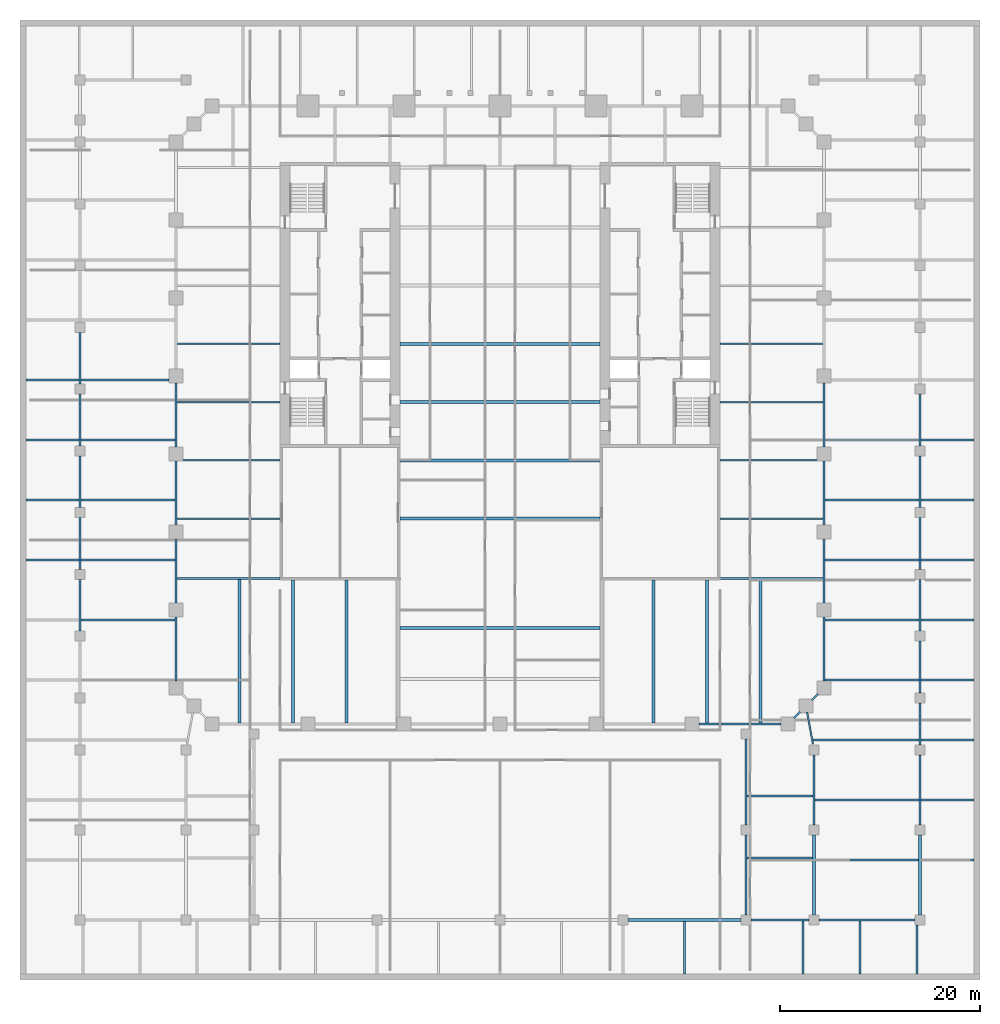
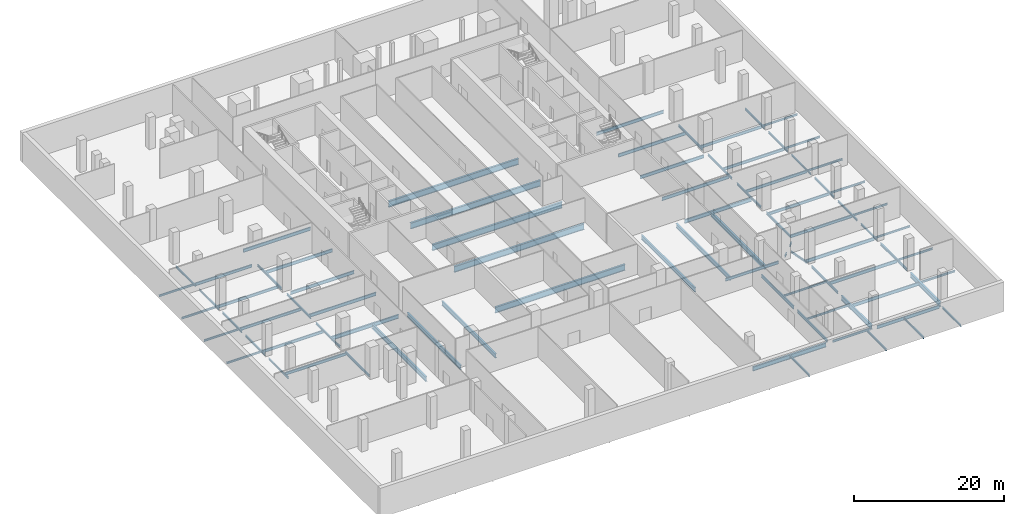
# One storey, part 2 of 15: 84 beams.
"""IFC4 building model written with IfcOpenShell, lengths in metres."""

from ifc_helpers import new_model, si_unit, direction, frame, origin, origin_2d, place, context, subcontext, project, spatial, i_section, extrude, material, material_profile, profile_set, type_object, element, save


model = new_model("IFC4")

# Units and contexts
model_context = context("Model", 3, precision=1e-05, world=origin(), true_north=direction((0.0, 1.0)))
body_context = subcontext(model_context, "Body", "Model", "MODEL_VIEW")
ifc_project = project(units=[si_unit("LENGTHUNIT", "METRE"), si_unit("AREAUNIT", "SQUARE_METRE"), si_unit("VOLUMEUNIT", "CUBIC_METRE"), si_unit("PLANEANGLEUNIT", "RADIAN"), si_unit("MASSUNIT", "GRAM", prefix="KILO")], contexts=[model_context])

# Site, building, storey
site_placement = place(None, origin())
site = spatial("IfcSite", under=ifc_project, at=site_placement, CompositionType="ELEMENT")
building_placement = place(site_placement, origin())
building = spatial("IfcBuilding", under=site, at=building_placement, Name="Ogive Exchange Tower", CompositionType="ELEMENT")
storey_placement = place(building_placement, frame((0.0, 0.0, -5.199951171875)))
storey = spatial("IfcBuildingStorey", under=building, at=storey_placement, Name="B1", CompositionType="ELEMENT", Elevation=-5.199951171875)

# Beams
ifc_material = material(Name="Steel ASTM A992 Gr50", Category="steel")
ifc_material_profile_1 = material_profile(ifc_material, i_section(OverallWidth=0.300048828125, OverallDepth=0.969970703125, WebThickness=0.01611328125, FlangeThickness=0.02099609375, at=origin_2d()), Name="W1000x222")
ifc_profile_set_1 = profile_set([ifc_material_profile_1], Name="Steel ASTM A992 Gr50")
beam_type_1 = type_object("IfcBeamType", Name="Floor beam W1000x222", PredefinedType="JOIST", material=ifc_profile_set_1)
for number, where, z_axis, x_axis, name in (
    (1, (-10.0, -9.8642578125, -0.78515625), (1.0, 0.0, 0.0), (0.0, 1.0, 0.0), "Floor beam"),
    (2, (-10.0, -4.03857421875, -0.78515625), (1.0, 0.0, 0.0), (0.0, 1.0, 0.0), "Floor beam"),
    (3, (-10.0, 1.787109375, -0.78515625), (1.0, 0.0, 0.0), (0.0, 1.0, 0.0), "Floor beam"),
    (4, (-10.0, 7.61279296875, -0.78515625), (1.0, 0.0, 0.0), (0.0, 1.0, 0.0), "Floor beam"),
    (5, (-10.0, -20.793212890625, -0.78515625), (1.0, 0.0, 0.0), (0.0, 1.0, 0.0), "Floor beam"),
):
    element("IfcBeam", number, at=place(storey_placement, frame(where, z_axis=z_axis, x_axis=x_axis)), inside=storey, type_object=beam_type_1, Name=name, PredefinedType="JOIST", context=body_context, shape_type="SweptSolid", body=[
        extrude(i_section(OverallWidth=0.300048828125, OverallDepth=0.969970703125, WebThickness=0.01611328125, FlangeThickness=0.02099609375, at=origin_2d()), origin(), (0.0, 0.0, 1.0), 20.0),
    ])
ifc_material_profile_2 = material_profile(ifc_material, i_section(OverallWidth=0.1650390625, OverallDepth=0.31005859375, WebThickness=0.005859375, FlangeThickness=0.009765625, at=origin_2d()), Name="W310x38.7")
ifc_profile_set_2 = profile_set([ifc_material_profile_2], Name="Steel ASTM A992 Gr50")
beam_type_2 = type_object("IfcBeamType", Name="Floor beam W310x38.7", PredefinedType="JOIST", material=ifc_profile_set_2)
beam_1_placement = place(storey_placement, frame((42.133544921875, -44.0, -0.455078125), z_axis=(1.0, 0.0, 0.0), x_axis=(0.0, 1.0, 0.0)))
element("IfcBeam", 6, at=beam_1_placement, inside=storey, type_object=beam_type_2, Name="Floor beam", PredefinedType="JOIST", context=body_context, shape_type="SweptSolid", body=[
    extrude(i_section(OverallWidth=0.1650390625, OverallDepth=0.31005859375, WebThickness=0.005859375, FlangeThickness=0.009765625, at=origin_2d()), origin(), (0.0, 0.0, 1.0), 5.266357421875),
])
beam_2_placement = place(storey_placement, frame((42.089111328125, -38.0, -0.455078125), z_axis=(1.0, 0.0, 0.0), x_axis=(0.0, 1.0, 0.0)))
element("IfcBeam", 7, at=beam_2_placement, inside=storey, type_object=beam_type_2, Name="Floor beam", PredefinedType="JOIST", context=body_context, shape_type="SweptSolid", body=[
    extrude(i_section(OverallWidth=0.1650390625, OverallDepth=0.31005859375, WebThickness=0.005859375, FlangeThickness=0.009765625, at=origin_2d()), origin(), (0.0, 0.0, 1.0), 5.310791015625),
])
for number, where, z_axis, x_axis, name in (
    (8, (42.08251953125, -32.0, -0.455078125), (1.0, 0.0, 0.0), (0.0, 1.0, 0.0), "Floor beam"),
    (9, (42.08251953125, -26.0, -0.455078125), (1.0, 0.0, 0.0), (0.0, 1.0, 0.0), "Floor beam"),
    (10, (42.08251953125, -20.0, -0.455078125), (1.0, 0.0, 0.0), (0.0, 1.0, 0.0), "Floor beam"),
    (11, (42.08251953125, -14.0, -0.455078125), (1.0, 0.0, 0.0), (0.0, 1.0, 0.0), "Floor beam"),
    (12, (42.08251953125, -8.0, -0.455078125), (1.0, 0.0, 0.0), (0.0, 1.0, 0.0), "Floor beam"),
    (13, (42.08251953125, -2.0, -0.455078125), (1.0, 0.0, 0.0), (0.0, 1.0, 0.0), "Floor beam"),
):
    element("IfcBeam", number, at=place(storey_placement, frame(where, z_axis=z_axis, x_axis=x_axis)), inside=storey, type_object=beam_type_2, Name=name, PredefinedType="JOIST", context=body_context, shape_type="SweptSolid", body=[
        extrude(i_section(OverallWidth=0.1650390625, OverallDepth=0.31005859375, WebThickness=0.005859375, FlangeThickness=0.009765625, at=origin_2d()), origin(), (0.0, 0.0, 1.0), 5.3173828125),
    ])
beam_3_placement = place(storey_placement, frame((24.695556640625, -43.800048828125, -0.455078125), z_axis=(1.0, 0.0, 0.0), x_axis=(0.0, 1.0, 0.0)))
element("IfcBeam", 14, at=beam_3_placement, inside=storey, type_object=beam_type_2, Name="Floor beam", PredefinedType="JOIST", context=body_context, shape_type="SweptSolid", body=[
    extrude(i_section(OverallWidth=0.1650390625, OverallDepth=0.31005859375, WebThickness=0.005859375, FlangeThickness=0.009765625, at=origin_2d()), origin(), (0.0, 0.0, 1.0), 6.571044921875),
])
beam_4_placement = place(storey_placement, frame((24.68359375, -37.60009765625, -0.455078125), z_axis=(1.0, 0.0, 0.0), x_axis=(0.0, 1.0, 0.0)))
element("IfcBeam", 15, at=beam_4_placement, inside=storey, type_object=beam_type_2, Name="Floor beam", PredefinedType="JOIST", context=body_context, shape_type="SweptSolid", body=[
    extrude(i_section(OverallWidth=0.1650390625, OverallDepth=0.31005859375, WebThickness=0.005859375, FlangeThickness=0.009765625, at=origin_2d()), origin(), (0.0, 0.0, 1.0), 6.62744140625),
])
beam_5_placement = place(storey_placement, frame((30.300048828125, -55.39990234375, -0.455078125), z_axis=(0.0, 1.0, 0.0), x_axis=(-1.0, 0.0, 0.0)))
element("IfcBeam", 16, at=beam_5_placement, inside=storey, type_object=beam_type_2, Name="Floor beam", PredefinedType="JOIST", context=body_context, shape_type="SweptSolid", body=[
    extrude(i_section(OverallWidth=0.1650390625, OverallDepth=0.31005859375, WebThickness=0.005859375, FlangeThickness=0.009765625, at=origin_2d()), origin(), (0.0, 0.0, 1.0), 5.314453125),
])
beam_6_placement = place(storey_placement, frame((36.0, -55.39990234375, -0.455078125), z_axis=(0.0, 1.0, 0.0), x_axis=(-1.0, 0.0, 0.0)))
element("IfcBeam", 17, at=beam_6_placement, inside=storey, type_object=beam_type_2, Name="Floor beam", PredefinedType="JOIST", context=body_context, shape_type="SweptSolid", body=[
    extrude(i_section(OverallWidth=0.1650390625, OverallDepth=0.31005859375, WebThickness=0.005859375, FlangeThickness=0.009765625, at=origin_2d()), origin(), (0.0, 0.0, 1.0), 5.31640625),
])
beam_7_placement = place(storey_placement, frame((41.699951171875, -55.39990234375, -0.455078125), z_axis=(0.0, 1.0, 0.0), x_axis=(-1.0, 0.0, 0.0)))
element("IfcBeam", 18, at=beam_7_placement, inside=storey, type_object=beam_type_2, Name="Floor beam", PredefinedType="JOIST", context=body_context, shape_type="SweptSolid", body=[
    extrude(i_section(OverallWidth=0.1650390625, OverallDepth=0.31005859375, WebThickness=0.005859375, FlangeThickness=0.009765625, at=origin_2d()), origin(), (0.0, 0.0, 1.0), 4.89990234375),
])
for number, where, z_axis, x_axis, name in (
    (19, (-47.39990234375, -14.0, -0.455078125), (1.0, 0.0, 0.0), (0.0, 1.0, 0.0), "Floor beam"),
    (20, (-47.39990234375, -8.0, -0.455078125), (1.0, 0.0, 0.0), (0.0, 1.0, 0.0), "Floor beam"),
    (21, (-47.39990234375, -2.0, -0.455078125), (1.0, 0.0, 0.0), (0.0, 1.0, 0.0), "Floor beam"),
    (22, (-47.39990234375, 4.0, -0.455078125), (1.0, 0.0, 0.0), (0.0, 1.0, 0.0), "Floor beam"),
):
    element("IfcBeam", number, at=place(storey_placement, frame(where, z_axis=z_axis, x_axis=x_axis)), inside=storey, type_object=beam_type_2, Name=name, PredefinedType="JOIST", context=body_context, shape_type="SweptSolid", body=[
        extrude(i_section(OverallWidth=0.1650390625, OverallDepth=0.31005859375, WebThickness=0.005859375, FlangeThickness=0.009765625, at=origin_2d()), origin(), (0.0, 0.0, 1.0), 5.3173828125),
    ])
beam_8_placement = place(storey_placement, frame((18.449951171875, -55.39990234375, -0.455078125), z_axis=(0.0, 1.0, 0.0), x_axis=(-1.0, 0.0, 0.0)))
element("IfcBeam", 23, at=beam_8_placement, inside=storey, type_object=beam_type_2, Name="Floor beam", PredefinedType="JOIST", context=body_context, shape_type="SweptSolid", body=[
    extrude(i_section(OverallWidth=0.1650390625, OverallDepth=0.31005859375, WebThickness=0.005859375, FlangeThickness=0.009765625, at=origin_2d()), origin(), (0.0, 0.0, 1.0), 5.27294921875),
])
ifc_material_profile_3 = material_profile(ifc_material, i_section(OverallWidth=0.19091796875, OverallDepth=0.45703125, WebThickness=0.009033203125, FlangeThickness=0.014404296875, at=origin_2d()), Name="W460x74")
ifc_profile_set_3 = profile_set([ifc_material_profile_3], Name="Steel ASTM A992 Gr50")
beam_type_3 = type_object("IfcBeamType", Name="Floor beam W460x74", PredefinedType="JOIST", material=ifc_profile_set_3)
for number, where, z_axis, x_axis, name in (
    (24, (32.485595703125, -26.0, -0.528564453125), (1.0, 0.0, 0.0), (0.0, 1.0, 0.0), "Floor beam"),
    (25, (32.485595703125, -20.0, -0.528564453125), (1.0, 0.0, 0.0), (0.0, 1.0, 0.0), "Floor beam"),
    (26, (32.485595703125, -14.0, -0.528564453125), (1.0, 0.0, 0.0), (0.0, 1.0, 0.0), "Floor beam"),
    (27, (32.485595703125, -8.0, -0.528564453125), (1.0, 0.0, 0.0), (0.0, 1.0, 0.0), "Floor beam"),
    (28, (32.485595703125, -2.0, -0.528564453125), (1.0, 0.0, 0.0), (0.0, 1.0, 0.0), "Floor beam"),
    (29, (-41.91748046875, -20.0, -0.528564453125), (1.0, 0.0, 0.0), (0.0, 1.0, 0.0), "Floor beam"),
    (30, (-41.91748046875, -14.0, -0.528564453125), (1.0, 0.0, 0.0), (0.0, 1.0, 0.0), "Floor beam"),
    (31, (-41.91748046875, -8.0, -0.528564453125), (1.0, 0.0, 0.0), (0.0, 1.0, 0.0), "Floor beam"),
    (32, (-41.91748046875, -2.0, -0.528564453125), (1.0, 0.0, 0.0), (0.0, 1.0, 0.0), "Floor beam"),
):
    element("IfcBeam", number, at=place(storey_placement, frame(where, z_axis=z_axis, x_axis=x_axis)), inside=storey, type_object=beam_type_3, Name=name, PredefinedType="JOIST", context=body_context, shape_type="SweptSolid", body=[
        extrude(i_section(OverallWidth=0.19091796875, OverallDepth=0.45703125, WebThickness=0.009033203125, FlangeThickness=0.014404296875, at=origin_2d()), origin(), (0.0, 0.0, 1.0), 9.431884765625),
    ])
beam_9_placement = place(storey_placement, frame((-41.91748046875, 4.0, -0.528564453125), z_axis=(1.0, 0.0, 0.0), x_axis=(0.0, 1.0, 0.0)))
element("IfcBeam", 33, at=beam_9_placement, inside=storey, type_object=beam_type_3, Name="Floor beam", PredefinedType="JOIST", context=body_context, shape_type="SweptSolid", body=[
    extrude(i_section(OverallWidth=0.19091796875, OverallDepth=0.45703125, WebThickness=0.009033203125, FlangeThickness=0.014404296875, at=origin_2d()), origin(), (0.0, 0.0, 1.0), 8.8173828125),
])
ifc_material_profile_4 = material_profile(ifc_material, i_section(OverallWidth=0.1669921875, OverallDepth=0.535888671875, WebThickness=0.01025390625, FlangeThickness=0.0166015625, at=origin_2d()), Name="W530x85")
ifc_profile_set_4 = profile_set([ifc_material_profile_4], Name="Steel ASTM A992 Gr50")
beam_type_4 = type_object("IfcBeamType", Name="Floor beam W530x85", PredefinedType="JOIST", material=ifc_profile_set_4)
for number, where, z_axis, x_axis, name in (
    (34, (-32.344970703125, -9.8642578125, -0.568115234375), (1.0, 0.0, 0.0), (0.0, 1.0, 0.0), "Floor beam"),
    (35, (22.0, -9.8642578125, -0.568115234375), (1.0, 0.0, 0.0), (0.0, 1.0, 0.0), "Floor beam"),
):
    element("IfcBeam", number, at=place(storey_placement, frame(where, z_axis=z_axis, x_axis=x_axis)), inside=storey, type_object=beam_type_4, Name=name, PredefinedType="JOIST", context=body_context, shape_type="SweptSolid", body=[
        extrude(i_section(OverallWidth=0.1669921875, OverallDepth=0.535888671875, WebThickness=0.01025390625, FlangeThickness=0.0166015625, at=origin_2d()), origin(), (0.0, 0.0, 1.0), 10.344970703125),
    ])
for number, where, z_axis, x_axis, name in (
    (36, (-31.800048828125, -4.03857421875, -0.568115234375), (1.0, 0.0, 0.0), (0.0, 1.0, 0.0), "Floor beam"),
    (37, (22.0, -4.03857421875, -0.568115234375), (1.0, 0.0, 0.0), (0.0, 1.0, 0.0), "Floor beam"),
):
    element("IfcBeam", number, at=place(storey_placement, frame(where, z_axis=z_axis, x_axis=x_axis)), inside=storey, type_object=beam_type_4, Name=name, PredefinedType="JOIST", context=body_context, shape_type="SweptSolid", body=[
        extrude(i_section(OverallWidth=0.1669921875, OverallDepth=0.535888671875, WebThickness=0.01025390625, FlangeThickness=0.0166015625, at=origin_2d()), origin(), (0.0, 0.0, 1.0), 9.800048828125),
    ])
for number, where, z_axis, x_axis, name in (
    (38, (-32.344970703125, 1.787109375, -0.568115234375), (1.0, 0.0, 0.0), (0.0, 1.0, 0.0), "Floor beam"),
    (39, (22.0, 1.787109375, -0.568115234375), (1.0, 0.0, 0.0), (0.0, 1.0, 0.0), "Floor beam"),
    (40, (-32.344970703125, 7.61279296875, -0.568115234375), (1.0, 0.0, 0.0), (0.0, 1.0, 0.0), "Floor beam"),
    (41, (22.0, 7.61279296875, -0.568115234375), (1.0, 0.0, 0.0), (0.0, 1.0, 0.0), "Floor beam"),
):
    element("IfcBeam", number, at=place(storey_placement, frame(where, z_axis=z_axis, x_axis=x_axis)), inside=storey, type_object=beam_type_4, Name=name, PredefinedType="JOIST", context=body_context, shape_type="SweptSolid", body=[
        extrude(i_section(OverallWidth=0.1669921875, OverallDepth=0.535888671875, WebThickness=0.01025390625, FlangeThickness=0.0166015625, at=origin_2d()), origin(), (0.0, 0.0, 1.0), 10.344970703125),
    ])
beam_10_placement = place(storey_placement, frame((31.533447265625, -44.0, -0.568115234375), z_axis=(1.0, 0.0, 0.0), x_axis=(0.0, 1.0, 0.0)))
element("IfcBeam", 42, at=beam_10_placement, inside=storey, type_object=beam_type_4, Name="Floor beam", PredefinedType="JOIST", context=body_context, shape_type="SweptSolid", body=[
    extrude(i_section(OverallWidth=0.1669921875, OverallDepth=0.535888671875, WebThickness=0.01025390625, FlangeThickness=0.0166015625, at=origin_2d()), origin(), (0.0, 0.0, 1.0), 10.3330078125),
])
beam_11_placement = place(storey_placement, frame((31.489013671875, -38.0, -0.568115234375), z_axis=(1.0, 0.0, 0.0), x_axis=(0.0, 1.0, 0.0)))
element("IfcBeam", 43, at=beam_11_placement, inside=storey, type_object=beam_type_4, Name="Floor beam", PredefinedType="JOIST", context=body_context, shape_type="SweptSolid", body=[
    extrude(i_section(OverallWidth=0.1669921875, OverallDepth=0.535888671875, WebThickness=0.01025390625, FlangeThickness=0.0166015625, at=origin_2d()), origin(), (0.0, 0.0, 1.0), 10.421875),
])
beam_12_placement = place(storey_placement, frame((31.302001953125, -32.0, -0.568115234375), z_axis=(1.0, 0.0, 0.0), x_axis=(0.0, 1.0, 0.0)))
element("IfcBeam", 44, at=beam_12_placement, inside=storey, type_object=beam_type_4, Name="Floor beam", PredefinedType="JOIST", context=body_context, shape_type="SweptSolid", body=[
    extrude(i_section(OverallWidth=0.1669921875, OverallDepth=0.535888671875, WebThickness=0.01025390625, FlangeThickness=0.0166015625, at=origin_2d()), origin(), (0.0, 0.0, 1.0), 10.615478515625),
])
ifc_material_profile_5 = material_profile(ifc_material, i_section(OverallWidth=0.25390625, OverallDepth=0.68310546875, WebThickness=0.012451171875, FlangeThickness=0.018798828125, at=origin_2d()), Name="W690x140")
ifc_profile_set_5 = profile_set([ifc_material_profile_5], Name="Steel ASTM A992 Gr50")
beam_type_5 = type_object("IfcBeamType", Name="Floor beam W690x140", PredefinedType="JOIST", material=ifc_profile_set_5)
for number, where, z_axis, x_axis, name in (
    (45, (15.35009765625, -30.304443359375, -0.6416015625), (0.0, 1.0, 0.0), (-1.0, 0.0, 0.0), "Floor beam"),
    (46, (20.699951171875, -30.304443359375, -0.6416015625), (0.0, 1.0, 0.0), (-1.0, 0.0, 0.0), "Floor beam"),
    (47, (-20.699951171875, -30.304443359375, -0.6416015625), (0.0, 1.0, 0.0), (-1.0, 0.0, 0.0), "Floor beam"),
    (48, (-15.35009765625, -30.304443359375, -0.6416015625), (0.0, 1.0, 0.0), (-1.0, 0.0, 0.0), "Floor beam"),
):
    element("IfcBeam", number, at=place(storey_placement, frame(where, z_axis=z_axis, x_axis=x_axis)), inside=storey, type_object=beam_type_5, Name=name, PredefinedType="JOIST", context=body_context, shape_type="SweptSolid", body=[
        extrude(i_section(OverallWidth=0.25390625, OverallDepth=0.68310546875, WebThickness=0.012451171875, FlangeThickness=0.018798828125, at=origin_2d()), origin(), (0.0, 0.0, 1.0), 14.304443359375),
    ])
ifc_material_profile_6 = material_profile(ifc_material, i_section(OverallWidth=0.26708984375, OverallDepth=0.75390625, WebThickness=0.01318359375, FlangeThickness=0.01708984375, at=origin_2d()), Name="W760x147")
ifc_profile_set_6 = profile_set([ifc_material_profile_6], Name="Steel ASTM A992 Gr50")
beam_type_6 = type_object("IfcBeamType", Name="Floor beam W760x147", PredefinedType="JOIST", material=ifc_profile_set_6)
for number, where, z_axis, x_axis, name in (
    (49, (26.050048828125, -30.304443359375, -0.677001953125), (0.0, 1.0, 0.0), (-1.0, 0.0, 0.0), "Floor beam"),
    (50, (-26.050048828125, -30.304443359375, -0.677001953125), (0.0, 1.0, 0.0), (-1.0, 0.0, 0.0), "Floor beam"),
):
    element("IfcBeam", number, at=place(storey_placement, frame(where, z_axis=z_axis, x_axis=x_axis)), inside=storey, type_object=beam_type_6, Name=name, PredefinedType="JOIST", context=body_context, shape_type="SweptSolid", body=[
        extrude(i_section(OverallWidth=0.26708984375, OverallDepth=0.75390625, WebThickness=0.01318359375, FlangeThickness=0.01708984375, at=origin_2d()), origin(), (0.0, 0.0, 1.0), 14.345458984375),
    ])
ifc_material_profile_7 = material_profile(ifc_material, i_section(OverallWidth=0.1650390625, OverallDepth=0.31005859375, WebThickness=0.005859375, FlangeThickness=0.009765625, at=origin_2d()), Name="W310x38.7")
ifc_profile_set_7 = profile_set([ifc_material_profile_7], Name="Steel ASTM A992 Gr50")
beam_type_7 = type_object("IfcBeamType", Name="Girder W310x38.7", PredefinedType="BEAM", material=ifc_profile_set_7)
for number, where, z_axis, x_axis, name in (
    (51, (29.39404296875, -29.805908203125, -0.455078125), (0.707247821729, 0.706965712506, 0.0), (-0.706965712506, 0.707247821729, 0.0), "Girder"),
    (52, (31.194091796875, -28.006103515625, -0.455078125), (0.706965712506, 0.707247821729, 0.0), (-0.707247821729, 0.706965712506, 0.0), "Girder"),
):
    element("IfcBeam", number, at=place(storey_placement, frame(where, z_axis=z_axis, x_axis=x_axis)), inside=storey, type_object=beam_type_7, Name=name, PredefinedType="BEAM", context=body_context, shape_type="SweptSolid", body=[
        extrude(i_section(OverallWidth=0.1650390625, OverallDepth=0.31005859375, WebThickness=0.005859375, FlangeThickness=0.009765625, at=origin_2d()), origin(), (0.0, 0.0, 1.0), 0.865478515625),
    ])
beam_13_placement = place(storey_placement, frame((31.292724609375, -32.40966796875, -0.455078125), z_axis=(-0.178911700404, 0.983865134792, 0.0), x_axis=(-0.983865134792, -0.178911700404, 0.0)))
element("IfcBeam", 53, at=beam_13_placement, inside=storey, type_object=beam_type_7, Name="Girder", PredefinedType="BEAM", context=body_context, shape_type="SweptSolid", body=[
    extrude(i_section(OverallWidth=0.1650390625, OverallDepth=0.31005859375, WebThickness=0.005859375, FlangeThickness=0.009765625, at=origin_2d()), origin(), (0.0, 0.0, 1.0), 3.272216796875),
])
beam_14_placement = place(storey_placement, frame((42.0, -32.5, -0.455078125), z_axis=(0.0, 1.0, 0.0), x_axis=(-1.0, 0.0, 0.0)))
element("IfcBeam", 54, at=beam_14_placement, inside=storey, type_object=beam_type_7, Name="Girder", PredefinedType="BEAM", context=body_context, shape_type="SweptSolid", body=[
    extrude(i_section(OverallWidth=0.1650390625, OverallDepth=0.31005859375, WebThickness=0.005859375, FlangeThickness=0.009765625, at=origin_2d()), origin(), (0.0, 0.0, 1.0), 4.199951171875),
])
beam_15_placement = place(storey_placement, frame((42.0, -27.300048828125, -0.455078125), z_axis=(0.0, 1.0, 0.0), x_axis=(-1.0, 0.0, 0.0)))
element("IfcBeam", 55, at=beam_15_placement, inside=storey, type_object=beam_type_7, Name="Girder", PredefinedType="BEAM", context=body_context, shape_type="SweptSolid", body=[
    extrude(i_section(OverallWidth=0.1650390625, OverallDepth=0.31005859375, WebThickness=0.005859375, FlangeThickness=0.009765625, at=origin_2d()), origin(), (0.0, 0.0, 1.0), 5.179931640625),
])
beam_16_placement = place(storey_placement, frame((42.0, -21.1201171875, -0.455078125), z_axis=(0.0, 1.0, 0.0), x_axis=(-1.0, 0.0, 0.0)))
element("IfcBeam", 56, at=beam_16_placement, inside=storey, type_object=beam_type_7, Name="Girder", PredefinedType="BEAM", context=body_context, shape_type="SweptSolid", body=[
    extrude(i_section(OverallWidth=0.1650390625, OverallDepth=0.31005859375, WebThickness=0.005859375, FlangeThickness=0.009765625, at=origin_2d()), origin(), (0.0, 0.0, 1.0), 5.18017578125),
])
beam_17_placement = place(storey_placement, frame((42.0, -14.93994140625, -0.455078125), z_axis=(0.0, 1.0, 0.0), x_axis=(-1.0, 0.0, 0.0)))
element("IfcBeam", 57, at=beam_17_placement, inside=storey, type_object=beam_type_7, Name="Girder", PredefinedType="BEAM", context=body_context, shape_type="SweptSolid", body=[
    extrude(i_section(OverallWidth=0.1650390625, OverallDepth=0.31005859375, WebThickness=0.005859375, FlangeThickness=0.009765625, at=origin_2d()), origin(), (0.0, 0.0, 1.0), 5.169921875),
])
beam_18_placement = place(storey_placement, frame((42.0, -8.77001953125, -0.455078125), z_axis=(0.0, 1.0, 0.0), x_axis=(-1.0, 0.0, 0.0)))
element("IfcBeam", 58, at=beam_18_placement, inside=storey, type_object=beam_type_7, Name="Girder", PredefinedType="BEAM", context=body_context, shape_type="SweptSolid", body=[
    extrude(i_section(OverallWidth=0.1650390625, OverallDepth=0.31005859375, WebThickness=0.005859375, FlangeThickness=0.009765625, at=origin_2d()), origin(), (0.0, 0.0, 1.0), 5.179931640625),
])
for number, where, z_axis, x_axis, name in (
    (59, (42.0, -2.590087890625, -0.455078125), (0.0, 1.0, 0.0), (-1.0, 0.0, 0.0), "Girder"),
    (60, (-42.0, -21.1201171875, -0.455078125), (0.0, 1.0, 0.0), (-1.0, 0.0, 0.0), "Girder"),
):
    element("IfcBeam", number, at=place(storey_placement, frame(where, z_axis=z_axis, x_axis=x_axis)), inside=storey, type_object=beam_type_7, Name=name, PredefinedType="BEAM", context=body_context, shape_type="SweptSolid", body=[
        extrude(i_section(OverallWidth=0.1650390625, OverallDepth=0.31005859375, WebThickness=0.005859375, FlangeThickness=0.009765625, at=origin_2d()), origin(), (0.0, 0.0, 1.0), 5.18017578125),
    ])
beam_19_placement = place(storey_placement, frame((-42.0, -14.93994140625, -0.455078125), z_axis=(0.0, 1.0, 0.0), x_axis=(-1.0, 0.0, 0.0)))
element("IfcBeam", 61, at=beam_19_placement, inside=storey, type_object=beam_type_7, Name="Girder", PredefinedType="BEAM", context=body_context, shape_type="SweptSolid", body=[
    extrude(i_section(OverallWidth=0.1650390625, OverallDepth=0.31005859375, WebThickness=0.005859375, FlangeThickness=0.009765625, at=origin_2d()), origin(), (0.0, 0.0, 1.0), 5.169921875),
])
beam_20_placement = place(storey_placement, frame((-42.0, -8.77001953125, -0.455078125), z_axis=(0.0, 1.0, 0.0), x_axis=(-1.0, 0.0, 0.0)))
element("IfcBeam", 62, at=beam_20_placement, inside=storey, type_object=beam_type_7, Name="Girder", PredefinedType="BEAM", context=body_context, shape_type="SweptSolid", body=[
    extrude(i_section(OverallWidth=0.1650390625, OverallDepth=0.31005859375, WebThickness=0.005859375, FlangeThickness=0.009765625, at=origin_2d()), origin(), (0.0, 0.0, 1.0), 5.179931640625),
])
beam_21_placement = place(storey_placement, frame((-42.0, -2.590087890625, -0.455078125), z_axis=(0.0, 1.0, 0.0), x_axis=(-1.0, 0.0, 0.0)))
element("IfcBeam", 63, at=beam_21_placement, inside=storey, type_object=beam_type_7, Name="Girder", PredefinedType="BEAM", context=body_context, shape_type="SweptSolid", body=[
    extrude(i_section(OverallWidth=0.1650390625, OverallDepth=0.31005859375, WebThickness=0.005859375, FlangeThickness=0.009765625, at=origin_2d()), origin(), (0.0, 0.0, 1.0), 5.18017578125),
])
beam_22_placement = place(storey_placement, frame((-42.0, 3.590087890625, -0.455078125), z_axis=(0.0, 1.0, 0.0), x_axis=(-1.0, 0.0, 0.0)))
element("IfcBeam", 64, at=beam_22_placement, inside=storey, type_object=beam_type_7, Name="Girder", PredefinedType="BEAM", context=body_context, shape_type="SweptSolid", body=[
    extrude(i_section(OverallWidth=0.1650390625, OverallDepth=0.31005859375, WebThickness=0.005859375, FlangeThickness=0.009765625, at=origin_2d()), origin(), (0.0, 0.0, 1.0), 5.179931640625),
])
ifc_material_profile_8 = material_profile(ifc_material, i_section(OverallWidth=0.1708984375, OverallDepth=0.35595703125, WebThickness=0.00732421875, FlangeThickness=0.01171875, at=origin_2d()), Name="W360x51")
ifc_profile_set_8 = profile_set([ifc_material_profile_8], Name="Steel ASTM A992 Gr50")
beam_type_8 = type_object("IfcBeamType", Name="Girder W360x51", PredefinedType="BEAM", material=ifc_profile_set_8)
for number, where, z_axis, x_axis, name in (
    (65, (-32.39990234375, 3.699951171875, -0.47802734375), (0.0, -1.0, 0.0), (1.0, 0.0, 0.0), "Girder"),
    (66, (-32.39990234375, -4.10009765625, -0.47802734375), (0.0, -1.0, 0.0), (1.0, 0.0, 0.0), "Girder"),
):
    element("IfcBeam", number, at=place(storey_placement, frame(where, z_axis=z_axis, x_axis=x_axis)), inside=storey, type_object=beam_type_8, Name=name, PredefinedType="BEAM", context=body_context, shape_type="SweptSolid", body=[
        extrude(i_section(OverallWidth=0.1708984375, OverallDepth=0.35595703125, WebThickness=0.00732421875, FlangeThickness=0.01171875, at=origin_2d()), origin(), (0.0, 0.0, 1.0), 6.39990234375),
    ])
for number, where, z_axis, x_axis, name in (
    (67, (-32.39990234375, -11.89990234375, -0.47802734375), (0.0, -1.0, 0.0), (1.0, 0.0, 0.0), "Girder"),
    (68, (-32.39990234375, -19.699951171875, -0.47802734375), (0.0, -1.0, 0.0), (1.0, 0.0, 0.0), "Girder"),
    (69, (32.39990234375, -26.10009765625, -0.47802734375), (0.0, 1.0, 0.0), (-1.0, 0.0, 0.0), "Girder"),
    (70, (32.39990234375, -18.300048828125, -0.47802734375), (0.0, 1.0, 0.0), (-1.0, 0.0, 0.0), "Girder"),
):
    element("IfcBeam", number, at=place(storey_placement, frame(where, z_axis=z_axis, x_axis=x_axis)), inside=storey, type_object=beam_type_8, Name=name, PredefinedType="BEAM", context=body_context, shape_type="SweptSolid", body=[
        extrude(i_section(OverallWidth=0.1708984375, OverallDepth=0.35595703125, WebThickness=0.00732421875, FlangeThickness=0.01171875, at=origin_2d()), origin(), (0.0, 0.0, 1.0), 6.400146484375),
    ])
for number, where, z_axis, x_axis, name in (
    (71, (32.39990234375, -10.5, -0.47802734375), (0.0, 1.0, 0.0), (-1.0, 0.0, 0.0), "Girder"),
    (72, (32.39990234375, -2.699951171875, -0.47802734375), (0.0, 1.0, 0.0), (-1.0, 0.0, 0.0), "Girder"),
):
    element("IfcBeam", number, at=place(storey_placement, frame(where, z_axis=z_axis, x_axis=x_axis)), inside=storey, type_object=beam_type_8, Name=name, PredefinedType="BEAM", context=body_context, shape_type="SweptSolid", body=[
        extrude(i_section(OverallWidth=0.1708984375, OverallDepth=0.35595703125, WebThickness=0.00732421875, FlangeThickness=0.01171875, at=origin_2d()), origin(), (0.0, 0.0, 1.0), 6.39990234375),
    ])
beam_23_placement = place(storey_placement, frame((25.10009765625, -50.0, -0.47802734375), z_axis=(1.0, 0.0, 0.0), x_axis=(0.0, 1.0, 0.0)))
element("IfcBeam", 73, at=beam_23_placement, inside=storey, type_object=beam_type_8, Name="Girder", PredefinedType="BEAM", context=body_context, shape_type="SweptSolid", body=[
    extrude(i_section(OverallWidth=0.1708984375, OverallDepth=0.35595703125, WebThickness=0.00732421875, FlangeThickness=0.01171875, at=origin_2d()), origin(), (0.0, 0.0, 1.0), 5.7998046875),
])
ifc_material_profile_9 = material_profile(ifc_material, i_section(OverallWidth=0.177978515625, OverallDepth=0.406005859375, WebThickness=0.0078125, FlangeThickness=0.0126953125, at=origin_2d()), Name="W410x60")
ifc_profile_set_9 = profile_set([ifc_material_profile_9], Name="Steel ASTM A992 Gr50")
beam_type_9 = type_object("IfcBeamType", Name="Girder W410x60", PredefinedType="BEAM", material=ifc_profile_set_9)
for number, where, z_axis, x_axis, name in (
    (74, (31.39990234375, -40.5, -0.5029296875), (0.0, 1.0, 0.0), (-1.0, 0.0, 0.0), "Girder"),
    (75, (42.0, -40.5, -0.5029296875), (0.0, 1.0, 0.0), (-1.0, 0.0, 0.0), "Girder"),
):
    element("IfcBeam", number, at=place(storey_placement, frame(where, z_axis=z_axis, x_axis=x_axis)), inside=storey, type_object=beam_type_9, Name=name, PredefinedType="BEAM", context=body_context, shape_type="SweptSolid", body=[
        extrude(i_section(OverallWidth=0.177978515625, OverallDepth=0.406005859375, WebThickness=0.0078125, FlangeThickness=0.0126953125, at=origin_2d()), origin(), (0.0, 0.0, 1.0), 7.0),
    ])
ifc_material_profile_10 = material_profile(ifc_material, i_section(OverallWidth=0.19091796875, OverallDepth=0.45703125, WebThickness=0.009033203125, FlangeThickness=0.014404296875, at=origin_2d()), Name="W460x74")
ifc_profile_set_10 = profile_set([ifc_material_profile_10], Name="Steel ASTM A992 Gr50")
beam_type_10 = type_object("IfcBeamType", Name="Girder W460x74", PredefinedType="BEAM", material=ifc_profile_set_10)
beam_24_placement = place(storey_placement, frame((19.89990234375, -30.39990234375, -0.528564453125), z_axis=(1.0, 0.0, 0.0), x_axis=(0.0, 1.0, 0.0)))
element("IfcBeam", 76, at=beam_24_placement, inside=storey, type_object=beam_type_10, Name="Girder", PredefinedType="BEAM", context=body_context, shape_type="SweptSolid", body=[
    extrude(i_section(OverallWidth=0.19091796875, OverallDepth=0.45703125, WebThickness=0.009033203125, FlangeThickness=0.014404296875, at=origin_2d()), origin(), (0.0, 0.0, 1.0), 8.2001953125),
])
beam_25_placement = place(storey_placement, frame((24.60009765625, -49.5, -0.528564453125), z_axis=(0.0, 1.0, 0.0), x_axis=(-1.0, 0.0, 0.0)))
element("IfcBeam", 77, at=beam_25_placement, inside=storey, type_object=beam_type_10, Name="Girder", PredefinedType="BEAM", context=body_context, shape_type="SweptSolid", body=[
    extrude(i_section(OverallWidth=0.19091796875, OverallDepth=0.45703125, WebThickness=0.009033203125, FlangeThickness=0.014404296875, at=origin_2d()), origin(), (0.0, 0.0, 1.0), 8.0),
])
ifc_material_profile_11 = material_profile(ifc_material, i_section(OverallWidth=0.1669921875, OverallDepth=0.535888671875, WebThickness=0.01025390625, FlangeThickness=0.0166015625, at=origin_2d()), Name="W530x85")
ifc_profile_set_11 = profile_set([ifc_material_profile_11], Name="Steel ASTM A992 Gr50")
beam_type_11 = type_object("IfcBeamType", Name="Girder W530x85", PredefinedType="BEAM", material=ifc_profile_set_11)
beam_26_placement = place(storey_placement, frame((24.60009765625, -40.5, -0.568115234375), z_axis=(0.0, 1.0, 0.0), x_axis=(-1.0, 0.0, 0.0)))
element("IfcBeam", 78, at=beam_26_placement, inside=storey, type_object=beam_type_11, Name="Girder", PredefinedType="BEAM", context=body_context, shape_type="SweptSolid", body=[
    extrude(i_section(OverallWidth=0.1669921875, OverallDepth=0.535888671875, WebThickness=0.01025390625, FlangeThickness=0.0166015625, at=origin_2d()), origin(), (0.0, 0.0, 1.0), 8.60009765625),
])
beam_27_placement = place(storey_placement, frame((31.89990234375, -50.0, -0.568115234375), z_axis=(1.0, 0.0, 0.0), x_axis=(0.0, 1.0, 0.0)))
element("IfcBeam", 79, at=beam_27_placement, inside=storey, type_object=beam_type_11, Name="Girder", PredefinedType="BEAM", context=body_context, shape_type="SweptSolid", body=[
    extrude(i_section(OverallWidth=0.1669921875, OverallDepth=0.535888671875, WebThickness=0.01025390625, FlangeThickness=0.0166015625, at=origin_2d()), origin(), (0.0, 0.0, 1.0), 9.60009765625),
])
ifc_material_profile_12 = material_profile(ifc_material, i_section(OverallWidth=0.22802734375, OverallDepth=0.60205078125, WebThickness=0.010498046875, FlangeThickness=0.014892578125, at=origin_2d()), Name="W610x101")
ifc_profile_set_12 = profile_set([ifc_material_profile_12], Name="Steel ASTM A992 Gr50")
beam_type_12 = type_object("IfcBeamType", Name="Girder W610x101", PredefinedType="BEAM", material=ifc_profile_set_12)
for number, where, z_axis, x_axis, name in (
    (80, (22.0, -15.844970703125, -0.60107421875), (1.0, 0.0, 0.0), (0.0, 1.0, 0.0), "Header girder"),
    (81, (-22.0, -15.844970703125, -0.60107421875), (-1.0, 0.0, 0.0), (0.0, -1.0, 0.0), "Header girder"),
):
    element("IfcBeam", number, at=place(storey_placement, frame(where, z_axis=z_axis, x_axis=x_axis)), inside=storey, type_object=beam_type_12, Name=name, PredefinedType="BEAM", context=body_context, shape_type="SweptSolid", body=[
        extrude(i_section(OverallWidth=0.22802734375, OverallDepth=0.60205078125, WebThickness=0.010498046875, FlangeThickness=0.014892578125, at=origin_2d()), origin(), (0.0, 0.0, 1.0), 10.344970703125),
    ])
ifc_material_profile_13 = material_profile(ifc_material, i_section(OverallWidth=0.25390625, OverallDepth=0.677978515625, WebThickness=0.01171875, FlangeThickness=0.016357421875, at=origin_2d()), Name="W690x125")
ifc_profile_set_13 = profile_set([ifc_material_profile_13], Name="Steel ASTM A992 Gr50")
beam_type_13 = type_object("IfcBeamType", Name="Girder W690x125", PredefinedType="BEAM", material=ifc_profile_set_13)
beam_28_placement = place(storey_placement, frame((12.800048828125, -50.0, -0.63916015625), z_axis=(1.0, 0.0, 0.0), x_axis=(0.0, 1.0, 0.0)))
element("IfcBeam", 82, at=beam_28_placement, inside=storey, type_object=beam_type_13, Name="Girder", PredefinedType="BEAM", context=body_context, shape_type="SweptSolid", body=[
    extrude(i_section(OverallWidth=0.25390625, OverallDepth=0.677978515625, WebThickness=0.01171875, FlangeThickness=0.016357421875, at=origin_2d()), origin(), (0.0, 0.0, 1.0), 11.300048828125),
])
ifc_material_profile_14 = material_profile(ifc_material, i_section(OverallWidth=0.26708984375, OverallDepth=0.75390625, WebThickness=0.01318359375, FlangeThickness=0.01708984375, at=origin_2d()), Name="W760x147")
ifc_profile_set_14 = profile_set([ifc_material_profile_14], Name="Steel ASTM A992 Gr50")
beam_type_14 = type_object("IfcBeamType", Name="Girder W760x147", PredefinedType="BEAM", material=ifc_profile_set_14)
for number, where, z_axis, x_axis, name in (
    (83, (31.39990234375, -49.5, -0.677001953125), (0.0, 1.0, 0.0), (-1.0, 0.0, 0.0), "Girder"),
    (84, (42.0, -49.5, -0.677001953125), (0.0, 1.0, 0.0), (-1.0, 0.0, 0.0), "Girder"),
):
    element("IfcBeam", number, at=place(storey_placement, frame(where, z_axis=z_axis, x_axis=x_axis)), inside=storey, type_object=beam_type_14, Name=name, PredefinedType="BEAM", context=body_context, shape_type="SweptSolid", body=[
        extrude(i_section(OverallWidth=0.26708984375, OverallDepth=0.75390625, WebThickness=0.01318359375, FlangeThickness=0.01708984375, at=origin_2d()), origin(), (0.0, 0.0, 1.0), 8.0),
    ])

save(model, "model.ifc")
